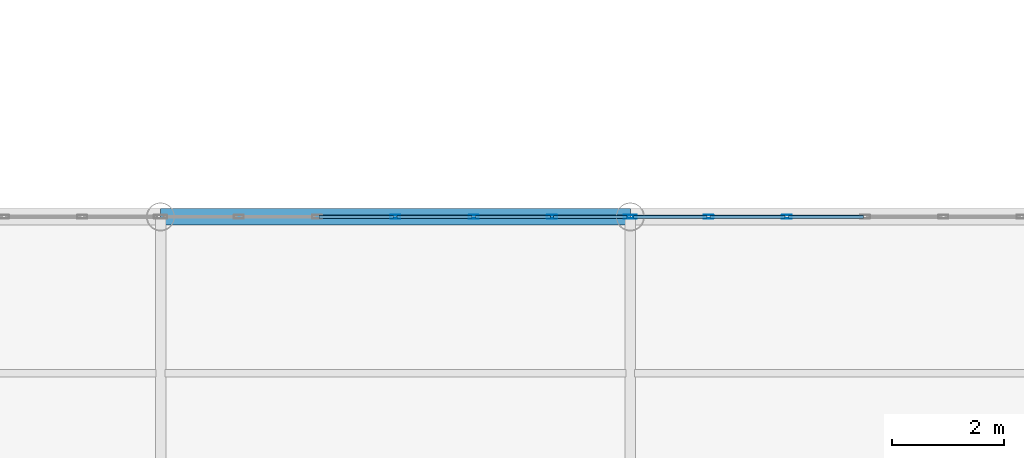
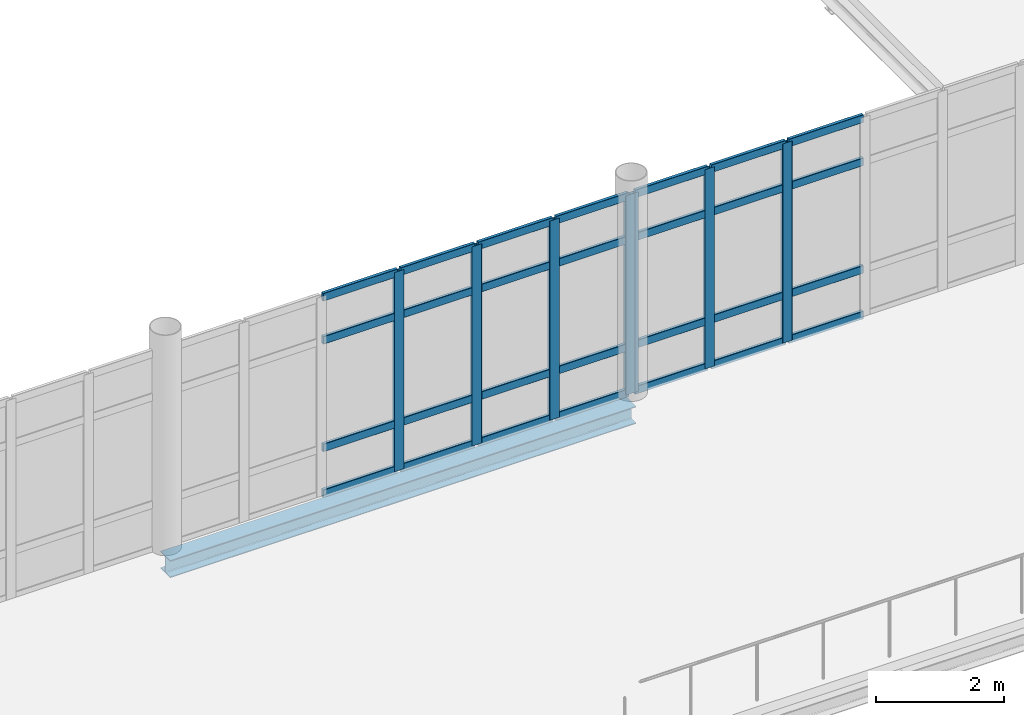
# One storey, part 70 of 163: 35 members, 1 beam, 2 elements without a shape of their own.
"""IFC4 building model written with IfcOpenShell, lengths in metres."""

from ifc_helpers import new_model, si_unit, direction, frame, origin, origin_2d, place, context, subcontext, project, spatial, hollow_rectangle, i_section, extrude, material, layer, layer_set, material_profile, profile_set, type_object, element, aggregate, save


model = new_model("IFC4")

# Units and contexts
model_context = context("Model", 3, precision=1e-05, world=origin(), true_north=direction((0.0, 1.0)))
body_context = subcontext(model_context, "Body", "Model", "MODEL_VIEW")
ifc_project = project(units=[si_unit("LENGTHUNIT", "METRE"), si_unit("AREAUNIT", "SQUARE_METRE"), si_unit("VOLUMEUNIT", "CUBIC_METRE"), si_unit("PLANEANGLEUNIT", "RADIAN"), si_unit("MASSUNIT", "GRAM", prefix="KILO")], contexts=[model_context])

# Site, building, storey
site_placement = place(None, origin())
site = spatial("IfcSite", under=ifc_project, at=site_placement, CompositionType="ELEMENT")
building_placement = place(site_placement, origin())
building = spatial("IfcBuilding", under=site, at=building_placement, Name="Qalvenar Corner Mobility Hub", CompositionType="ELEMENT")
storey_placement = place(building_placement, frame((0.0, 0.0, 4.800048828125)))
storey = spatial("IfcBuildingStorey", under=building, at=storey_placement, Name="L01", CompositionType="ELEMENT", Elevation=4.800048828125)

# Beam
ifc_material_1 = material(Name="Steel S355", Category="steel")
ifc_material_profile_1 = material_profile(ifc_material_1, i_section(OverallWidth=0.300048828125, OverallDepth=0.330078125, WebThickness=0.009521484375, FlangeThickness=0.0166015625, FilletRadius=0.027099609375, at=origin_2d()), Name="HEA340")
ifc_profile_set_1 = profile_set([ifc_material_profile_1], Name="Steel S355")
beam_type = type_object("IfcBeamType", Name="BM-SPN340", PredefinedType="SPANDREL", material=ifc_profile_set_1)
beam_placement = place(storey_placement, frame((92.39990234375, 33.60009765625, -0.344970703125), z_axis=(1.0, 0.0, 0.0), x_axis=(0.0, 1.0, 0.0)))
element("IfcBeam", 1, at=beam_placement, inside=storey, type_object=beam_type, Name="Primary Steel Girder GX-0955", PredefinedType="SPANDREL", context=body_context, shape_type="SweptSolid", body=[
    extrude(i_section(OverallWidth=0.300048828125, OverallDepth=0.330078125, WebThickness=0.009521484375, FlangeThickness=0.0166015625, FilletRadius=0.027099609375, at=origin_2d()), origin(), (0.0, 0.0, 1.0), 8.400146484375),
])

# Curtain wall, members
ifc_material_2 = material(Name="Anodised Aluminium and Low-E Glazing", Category="aluminium")
ifc_layer = layer(ifc_material_2, 0.179931640625)
ifc_layer_set = layer_set([ifc_layer], Name="Anodised Aluminium and Low-E Glazing")
curtain_wall_type = type_object("IfcCurtainWallType", Name="CW-CONC-84X42", PredefinedType="NOTDEFINED", material=ifc_layer_set)
curtain_wall_1_placement = place(storey_placement, origin())
curtain_wall_1 = element("IfcCurtainWall", 2, at=curtain_wall_1_placement, inside=storey, type_object=curtain_wall_type, Name="Glazed Curtain Wall CW-V1-L01-N5", PredefinedType="NOTDEFINED")
ifc_material_3 = material(Name="Anodised Aluminium 6063-T6", Category="aluminium")
ifc_material_profile_2 = material_profile(ifc_material_3, hollow_rectangle(XDim=0.06494140625, YDim=0.179931640625, WallThickness=0.00390625, InnerFilletRadius=0.00390625, OuterFilletRadius=0.008056640625, at=origin_2d()), Name="RHS180x65x4")
ifc_profile_set_2 = profile_set([ifc_material_profile_2], Name="Anodised Aluminium 6063-T6")
member_type_1 = type_object("IfcMemberType", Name="CW-MUL180", PredefinedType="MULLION", material=ifc_profile_set_2)
member_1_placement = place(storey_placement, frame((100.77001953125, 33.60009765625, 0.0), z_axis=(0.0, 0.0, 1.0), x_axis=(0.0, -1.0, 0.0)))
member_1 = element("IfcMember", 3, at=member_1_placement, type_object=member_type_1, Name="CW-02 mullion 1", PredefinedType="MULLION", context=body_context, shape_type="SweptSolid", body=[
    extrude(hollow_rectangle(XDim=0.06494140625, YDim=0.179931640625, WallThickness=0.00390625, InnerFilletRadius=0.00390625, OuterFilletRadius=0.008056640625, at=origin_2d()), origin(), (0.0, 0.0, 1.0), 3.800048828125),
])
member_2_placement = place(storey_placement, frame((99.39990234375, 33.60009765625, 0.0), z_axis=(0.0, 0.0, 1.0), x_axis=(0.0, -1.0, 0.0)))
member_2 = element("IfcMember", 4, at=member_2_placement, type_object=member_type_1, Name="CW-02 mullion 2", PredefinedType="MULLION", context=body_context, shape_type="SweptSolid", body=[
    extrude(hollow_rectangle(XDim=0.06494140625, YDim=0.179931640625, WallThickness=0.00390625, InnerFilletRadius=0.00390625, OuterFilletRadius=0.008056640625, at=origin_2d()), origin(), (0.0, 0.0, 1.0), 3.800048828125),
])
member_3_placement = place(storey_placement, frame((98.0, 33.60009765625, 0.0), z_axis=(0.0, 0.0, 1.0), x_axis=(0.0, -1.0, 0.0)))
member_3 = element("IfcMember", 5, at=member_3_placement, type_object=member_type_1, Name="CW-02 mullion 3", PredefinedType="MULLION", context=body_context, shape_type="SweptSolid", body=[
    extrude(hollow_rectangle(XDim=0.06494140625, YDim=0.179931640625, WallThickness=0.00390625, InnerFilletRadius=0.00390625, OuterFilletRadius=0.008056640625, at=origin_2d()), origin(), (0.0, 0.0, 1.0), 3.800048828125),
])
member_4_placement = place(storey_placement, frame((96.60009765625, 33.60009765625, 0.0), z_axis=(0.0, 0.0, 1.0), x_axis=(0.0, -1.0, 0.0)))
member_4 = element("IfcMember", 6, at=member_4_placement, type_object=member_type_1, Name="CW-02 mullion 4", PredefinedType="MULLION", context=body_context, shape_type="SweptSolid", body=[
    extrude(hollow_rectangle(XDim=0.06494140625, YDim=0.179931640625, WallThickness=0.00390625, InnerFilletRadius=0.00390625, OuterFilletRadius=0.008056640625, at=origin_2d()), origin(), (0.0, 0.0, 1.0), 3.800048828125),
])

curtain_wall_2_placement = place(storey_placement, origin())
curtain_wall_2 = element("IfcCurtainWall", 7, at=curtain_wall_2_placement, inside=storey, type_object=curtain_wall_type, Name="Glazed Curtain Wall CW-V1-L01-N6", PredefinedType="NOTDEFINED")
member_5_placement = place(storey_placement, frame((103.60009765625, 33.60009765625, 0.0), z_axis=(0.0, 0.0, 1.0), x_axis=(0.0, -1.0, 0.0)))
member_5 = element("IfcMember", 8, at=member_5_placement, type_object=member_type_1, Name="CW-02 mullion 5", PredefinedType="MULLION", context=body_context, shape_type="SweptSolid", body=[
    extrude(hollow_rectangle(XDim=0.06494140625, YDim=0.179931640625, WallThickness=0.00390625, InnerFilletRadius=0.00390625, OuterFilletRadius=0.008056640625, at=origin_2d()), origin(), (0.0, 0.0, 1.0), 3.800048828125),
])
member_6_placement = place(storey_placement, frame((102.199951171875, 33.60009765625, 0.0), z_axis=(0.0, 0.0, 1.0), x_axis=(0.0, -1.0, 0.0)))
member_6 = element("IfcMember", 9, at=member_6_placement, type_object=member_type_1, Name="CW-02 mullion 6", PredefinedType="MULLION", context=body_context, shape_type="SweptSolid", body=[
    extrude(hollow_rectangle(XDim=0.06494140625, YDim=0.179931640625, WallThickness=0.00390625, InnerFilletRadius=0.00390625, OuterFilletRadius=0.008056640625, at=origin_2d()), origin(), (0.0, 0.0, 1.0), 3.800048828125),
])
member_7_placement = place(storey_placement, frame((100.830078125, 33.60009765625, 0.0), z_axis=(0.0, 0.0, 1.0), x_axis=(0.0, -1.0, 0.0)))
member_7 = element("IfcMember", 10, at=member_7_placement, type_object=member_type_1, Name="CW-02 mullion 7", PredefinedType="MULLION", context=body_context, shape_type="SweptSolid", body=[
    extrude(hollow_rectangle(XDim=0.06494140625, YDim=0.179931640625, WallThickness=0.00390625, InnerFilletRadius=0.00390625, OuterFilletRadius=0.008056640625, at=origin_2d()), origin(), (0.0, 0.0, 1.0), 3.800048828125),
])

# Member
ifc_material_profile_3 = material_profile(ifc_material_3, hollow_rectangle(XDim=0.06005859375, YDim=0.14990234375, WallThickness=0.00341796875, InnerFilletRadius=0.00341796875, OuterFilletRadius=0.007080078125, at=origin_2d()), Name="RHS150x60x3.5")
ifc_profile_set_3 = profile_set([ifc_material_profile_3], Name="Anodised Aluminium 6063-T6")
member_type_2 = type_object("IfcMemberType", Name="CW-TRN150", PredefinedType="USERDEFINED", material=ifc_profile_set_3)
member_8_placement = place(storey_placement, frame((100.739990234375, 33.60009765625, 0.02734375), z_axis=(-1.0, 0.0, 0.0), x_axis=(0.0, -1.0, 0.0)))
member_8 = element("IfcMember", 11, at=member_8_placement, type_object=member_type_2, Name="CW-02 transom 1.1", ObjectType="TRANSOM", PredefinedType="USERDEFINED", context=body_context, shape_type="SweptSolid", body=[
    extrude(hollow_rectangle(XDim=0.06005859375, YDim=0.14990234375, WallThickness=0.00341796875, InnerFilletRadius=0.00341796875, OuterFilletRadius=0.007080078125, at=origin_2d()), origin(), (0.0, 0.0, 1.0), 1.31005859375),
])

member_9_placement = place(storey_placement, frame((100.739990234375, 33.60009765625, 0.89990234375), z_axis=(-1.0, 0.0, 0.0), x_axis=(0.0, -1.0, 0.0)))
member_9 = element("IfcMember", 12, at=member_9_placement, type_object=member_type_2, Name="CW-02 transom 1.2", ObjectType="TRANSOM", PredefinedType="USERDEFINED", context=body_context, shape_type="SweptSolid", body=[
    extrude(hollow_rectangle(XDim=0.06005859375, YDim=0.14990234375, WallThickness=0.00341796875, InnerFilletRadius=0.00341796875, OuterFilletRadius=0.007080078125, at=origin_2d()), origin(), (0.0, 0.0, 1.0), 1.31005859375),
])

member_10_placement = place(storey_placement, frame((100.739990234375, 33.60009765625, 2.949951171875), z_axis=(-1.0, 0.0, 0.0), x_axis=(0.0, -1.0, 0.0)))
member_10 = element("IfcMember", 13, at=member_10_placement, type_object=member_type_2, Name="CW-02 transom 1.3", ObjectType="TRANSOM", PredefinedType="USERDEFINED", context=body_context, shape_type="SweptSolid", body=[
    extrude(hollow_rectangle(XDim=0.06005859375, YDim=0.14990234375, WallThickness=0.00341796875, InnerFilletRadius=0.00341796875, OuterFilletRadius=0.007080078125, at=origin_2d()), origin(), (0.0, 0.0, 1.0), 1.31005859375),
])

member_11_placement = place(storey_placement, frame((100.739990234375, 33.60009765625, 3.7724609375), z_axis=(-1.0, 0.0, 0.0), x_axis=(0.0, -1.0, 0.0)))
member_11 = element("IfcMember", 14, at=member_11_placement, type_object=member_type_2, Name="CW-02 transom 1.4", ObjectType="TRANSOM", PredefinedType="USERDEFINED", context=body_context, shape_type="SweptSolid", body=[
    extrude(hollow_rectangle(XDim=0.06005859375, YDim=0.14990234375, WallThickness=0.00341796875, InnerFilletRadius=0.00341796875, OuterFilletRadius=0.007080078125, at=origin_2d()), origin(), (0.0, 0.0, 1.0), 1.31005859375),
])

member_12_placement = place(storey_placement, frame((99.3701171875, 33.60009765625, 0.02734375), z_axis=(-1.0, 0.0, 0.0), x_axis=(0.0, -1.0, 0.0)))
member_12 = element("IfcMember", 15, at=member_12_placement, type_object=member_type_2, Name="CW-02 transom 2.1", ObjectType="TRANSOM", PredefinedType="USERDEFINED", context=body_context, shape_type="SweptSolid", body=[
    extrude(hollow_rectangle(XDim=0.06005859375, YDim=0.14990234375, WallThickness=0.00341796875, InnerFilletRadius=0.00341796875, OuterFilletRadius=0.007080078125, at=origin_2d()), origin(), (0.0, 0.0, 1.0), 1.340087890625),
])

member_13_placement = place(storey_placement, frame((99.3701171875, 33.60009765625, 0.89990234375), z_axis=(-1.0, 0.0, 0.0), x_axis=(0.0, -1.0, 0.0)))
member_13 = element("IfcMember", 16, at=member_13_placement, type_object=member_type_2, Name="CW-02 transom 2.2", ObjectType="TRANSOM", PredefinedType="USERDEFINED", context=body_context, shape_type="SweptSolid", body=[
    extrude(hollow_rectangle(XDim=0.06005859375, YDim=0.14990234375, WallThickness=0.00341796875, InnerFilletRadius=0.00341796875, OuterFilletRadius=0.007080078125, at=origin_2d()), origin(), (0.0, 0.0, 1.0), 1.340087890625),
])

member_14_placement = place(storey_placement, frame((99.3701171875, 33.60009765625, 2.949951171875), z_axis=(-1.0, 0.0, 0.0), x_axis=(0.0, -1.0, 0.0)))
member_14 = element("IfcMember", 17, at=member_14_placement, type_object=member_type_2, Name="CW-02 transom 2.3", ObjectType="TRANSOM", PredefinedType="USERDEFINED", context=body_context, shape_type="SweptSolid", body=[
    extrude(hollow_rectangle(XDim=0.06005859375, YDim=0.14990234375, WallThickness=0.00341796875, InnerFilletRadius=0.00341796875, OuterFilletRadius=0.007080078125, at=origin_2d()), origin(), (0.0, 0.0, 1.0), 1.340087890625),
])

member_15_placement = place(storey_placement, frame((99.3701171875, 33.60009765625, 3.7724609375), z_axis=(-1.0, 0.0, 0.0), x_axis=(0.0, -1.0, 0.0)))
member_15 = element("IfcMember", 18, at=member_15_placement, type_object=member_type_2, Name="CW-02 transom 2.4", ObjectType="TRANSOM", PredefinedType="USERDEFINED", context=body_context, shape_type="SweptSolid", body=[
    extrude(hollow_rectangle(XDim=0.06005859375, YDim=0.14990234375, WallThickness=0.00341796875, InnerFilletRadius=0.00341796875, OuterFilletRadius=0.007080078125, at=origin_2d()), origin(), (0.0, 0.0, 1.0), 1.340087890625),
])

member_16_placement = place(storey_placement, frame((97.969970703125, 33.60009765625, 0.02734375), z_axis=(-1.0, 0.0, 0.0), x_axis=(0.0, -1.0, 0.0)))
member_16 = element("IfcMember", 19, at=member_16_placement, type_object=member_type_2, Name="CW-02 transom 3.1", ObjectType="TRANSOM", PredefinedType="USERDEFINED", context=body_context, shape_type="SweptSolid", body=[
    extrude(hollow_rectangle(XDim=0.06005859375, YDim=0.14990234375, WallThickness=0.00341796875, InnerFilletRadius=0.00341796875, OuterFilletRadius=0.007080078125, at=origin_2d()), origin(), (0.0, 0.0, 1.0), 1.340087890625),
])

member_17_placement = place(storey_placement, frame((97.969970703125, 33.60009765625, 0.89990234375), z_axis=(-1.0, 0.0, 0.0), x_axis=(0.0, -1.0, 0.0)))
member_17 = element("IfcMember", 20, at=member_17_placement, type_object=member_type_2, Name="CW-02 transom 3.2", ObjectType="TRANSOM", PredefinedType="USERDEFINED", context=body_context, shape_type="SweptSolid", body=[
    extrude(hollow_rectangle(XDim=0.06005859375, YDim=0.14990234375, WallThickness=0.00341796875, InnerFilletRadius=0.00341796875, OuterFilletRadius=0.007080078125, at=origin_2d()), origin(), (0.0, 0.0, 1.0), 1.340087890625),
])

member_18_placement = place(storey_placement, frame((97.969970703125, 33.60009765625, 2.949951171875), z_axis=(-1.0, 0.0, 0.0), x_axis=(0.0, -1.0, 0.0)))
member_18 = element("IfcMember", 21, at=member_18_placement, type_object=member_type_2, Name="CW-02 transom 3.3", ObjectType="TRANSOM", PredefinedType="USERDEFINED", context=body_context, shape_type="SweptSolid", body=[
    extrude(hollow_rectangle(XDim=0.06005859375, YDim=0.14990234375, WallThickness=0.00341796875, InnerFilletRadius=0.00341796875, OuterFilletRadius=0.007080078125, at=origin_2d()), origin(), (0.0, 0.0, 1.0), 1.340087890625),
])

member_19_placement = place(storey_placement, frame((97.969970703125, 33.60009765625, 3.7724609375), z_axis=(-1.0, 0.0, 0.0), x_axis=(0.0, -1.0, 0.0)))
member_19 = element("IfcMember", 22, at=member_19_placement, type_object=member_type_2, Name="CW-02 transom 3.4", ObjectType="TRANSOM", PredefinedType="USERDEFINED", context=body_context, shape_type="SweptSolid", body=[
    extrude(hollow_rectangle(XDim=0.06005859375, YDim=0.14990234375, WallThickness=0.00341796875, InnerFilletRadius=0.00341796875, OuterFilletRadius=0.007080078125, at=origin_2d()), origin(), (0.0, 0.0, 1.0), 1.340087890625),
])

member_20_placement = place(storey_placement, frame((96.570068359375, 33.60009765625, 0.02734375), z_axis=(-1.0, 0.0, 0.0), x_axis=(0.0, -1.0, 0.0)))
member_20 = element("IfcMember", 23, at=member_20_placement, type_object=member_type_2, Name="CW-02 transom 4.1", ObjectType="TRANSOM", PredefinedType="USERDEFINED", context=body_context, shape_type="SweptSolid", body=[
    extrude(hollow_rectangle(XDim=0.06005859375, YDim=0.14990234375, WallThickness=0.00341796875, InnerFilletRadius=0.00341796875, OuterFilletRadius=0.007080078125, at=origin_2d()), origin(), (0.0, 0.0, 1.0), 1.340087890625),
])

member_21_placement = place(storey_placement, frame((96.570068359375, 33.60009765625, 0.89990234375), z_axis=(-1.0, 0.0, 0.0), x_axis=(0.0, -1.0, 0.0)))
member_21 = element("IfcMember", 24, at=member_21_placement, type_object=member_type_2, Name="CW-02 transom 4.2", ObjectType="TRANSOM", PredefinedType="USERDEFINED", context=body_context, shape_type="SweptSolid", body=[
    extrude(hollow_rectangle(XDim=0.06005859375, YDim=0.14990234375, WallThickness=0.00341796875, InnerFilletRadius=0.00341796875, OuterFilletRadius=0.007080078125, at=origin_2d()), origin(), (0.0, 0.0, 1.0), 1.340087890625),
])

member_22_placement = place(storey_placement, frame((96.570068359375, 33.60009765625, 2.949951171875), z_axis=(-1.0, 0.0, 0.0), x_axis=(0.0, -1.0, 0.0)))
member_22 = element("IfcMember", 25, at=member_22_placement, type_object=member_type_2, Name="CW-02 transom 4.3", ObjectType="TRANSOM", PredefinedType="USERDEFINED", context=body_context, shape_type="SweptSolid", body=[
    extrude(hollow_rectangle(XDim=0.06005859375, YDim=0.14990234375, WallThickness=0.00341796875, InnerFilletRadius=0.00341796875, OuterFilletRadius=0.007080078125, at=origin_2d()), origin(), (0.0, 0.0, 1.0), 1.340087890625),
])

member_23_placement = place(storey_placement, frame((96.570068359375, 33.60009765625, 3.7724609375), z_axis=(-1.0, 0.0, 0.0), x_axis=(0.0, -1.0, 0.0)))
member_23 = element("IfcMember", 26, at=member_23_placement, type_object=member_type_2, Name="CW-02 transom 4.4", ObjectType="TRANSOM", PredefinedType="USERDEFINED", context=body_context, shape_type="SweptSolid", body=[
    extrude(hollow_rectangle(XDim=0.06005859375, YDim=0.14990234375, WallThickness=0.00341796875, InnerFilletRadius=0.00341796875, OuterFilletRadius=0.007080078125, at=origin_2d()), origin(), (0.0, 0.0, 1.0), 1.340087890625),
])

aggregate(curtain_wall_1, [member_1, member_2, member_3, member_4, member_8, member_9, member_10, member_11, member_12, member_13, member_14, member_15, member_16, member_17, member_18, member_19, member_20, member_21, member_22, member_23])

member_24_placement = place(storey_placement, frame((104.969970703125, 33.60009765625, 0.02734375), z_axis=(-1.0, 0.0, 0.0), x_axis=(0.0, -1.0, 0.0)))
member_24 = element("IfcMember", 27, at=member_24_placement, type_object=member_type_2, Name="CW-02 transom 4.1", ObjectType="TRANSOM", PredefinedType="USERDEFINED", context=body_context, shape_type="SweptSolid", body=[
    extrude(hollow_rectangle(XDim=0.06005859375, YDim=0.14990234375, WallThickness=0.00341796875, InnerFilletRadius=0.00341796875, OuterFilletRadius=0.007080078125, at=origin_2d()), origin(), (0.0, 0.0, 1.0), 1.340087890625),
])

member_25_placement = place(storey_placement, frame((104.969970703125, 33.60009765625, 0.89990234375), z_axis=(-1.0, 0.0, 0.0), x_axis=(0.0, -1.0, 0.0)))
member_25 = element("IfcMember", 28, at=member_25_placement, type_object=member_type_2, Name="CW-02 transom 4.2", ObjectType="TRANSOM", PredefinedType="USERDEFINED", context=body_context, shape_type="SweptSolid", body=[
    extrude(hollow_rectangle(XDim=0.06005859375, YDim=0.14990234375, WallThickness=0.00341796875, InnerFilletRadius=0.00341796875, OuterFilletRadius=0.007080078125, at=origin_2d()), origin(), (0.0, 0.0, 1.0), 1.340087890625),
])

member_26_placement = place(storey_placement, frame((104.969970703125, 33.60009765625, 2.949951171875), z_axis=(-1.0, 0.0, 0.0), x_axis=(0.0, -1.0, 0.0)))
member_26 = element("IfcMember", 29, at=member_26_placement, type_object=member_type_2, Name="CW-02 transom 4.3", ObjectType="TRANSOM", PredefinedType="USERDEFINED", context=body_context, shape_type="SweptSolid", body=[
    extrude(hollow_rectangle(XDim=0.06005859375, YDim=0.14990234375, WallThickness=0.00341796875, InnerFilletRadius=0.00341796875, OuterFilletRadius=0.007080078125, at=origin_2d()), origin(), (0.0, 0.0, 1.0), 1.340087890625),
])

member_27_placement = place(storey_placement, frame((104.969970703125, 33.60009765625, 3.7724609375), z_axis=(-1.0, 0.0, 0.0), x_axis=(0.0, -1.0, 0.0)))
member_27 = element("IfcMember", 30, at=member_27_placement, type_object=member_type_2, Name="CW-02 transom 4.4", ObjectType="TRANSOM", PredefinedType="USERDEFINED", context=body_context, shape_type="SweptSolid", body=[
    extrude(hollow_rectangle(XDim=0.06005859375, YDim=0.14990234375, WallThickness=0.00341796875, InnerFilletRadius=0.00341796875, OuterFilletRadius=0.007080078125, at=origin_2d()), origin(), (0.0, 0.0, 1.0), 1.340087890625),
])

member_28_placement = place(storey_placement, frame((103.570068359375, 33.60009765625, 0.02734375), z_axis=(-1.0, 0.0, 0.0), x_axis=(0.0, -1.0, 0.0)))
member_28 = element("IfcMember", 31, at=member_28_placement, type_object=member_type_2, Name="CW-02 transom 5.1", ObjectType="TRANSOM", PredefinedType="USERDEFINED", context=body_context, shape_type="SweptSolid", body=[
    extrude(hollow_rectangle(XDim=0.06005859375, YDim=0.14990234375, WallThickness=0.00341796875, InnerFilletRadius=0.00341796875, OuterFilletRadius=0.007080078125, at=origin_2d()), origin(), (0.0, 0.0, 1.0), 1.340087890625),
])

member_29_placement = place(storey_placement, frame((103.570068359375, 33.60009765625, 0.89990234375), z_axis=(-1.0, 0.0, 0.0), x_axis=(0.0, -1.0, 0.0)))
member_29 = element("IfcMember", 32, at=member_29_placement, type_object=member_type_2, Name="CW-02 transom 5.2", ObjectType="TRANSOM", PredefinedType="USERDEFINED", context=body_context, shape_type="SweptSolid", body=[
    extrude(hollow_rectangle(XDim=0.06005859375, YDim=0.14990234375, WallThickness=0.00341796875, InnerFilletRadius=0.00341796875, OuterFilletRadius=0.007080078125, at=origin_2d()), origin(), (0.0, 0.0, 1.0), 1.340087890625),
])

member_30_placement = place(storey_placement, frame((103.570068359375, 33.60009765625, 2.949951171875), z_axis=(-1.0, 0.0, 0.0), x_axis=(0.0, -1.0, 0.0)))
member_30 = element("IfcMember", 33, at=member_30_placement, type_object=member_type_2, Name="CW-02 transom 5.3", ObjectType="TRANSOM", PredefinedType="USERDEFINED", context=body_context, shape_type="SweptSolid", body=[
    extrude(hollow_rectangle(XDim=0.06005859375, YDim=0.14990234375, WallThickness=0.00341796875, InnerFilletRadius=0.00341796875, OuterFilletRadius=0.007080078125, at=origin_2d()), origin(), (0.0, 0.0, 1.0), 1.340087890625),
])

member_31_placement = place(storey_placement, frame((103.570068359375, 33.60009765625, 3.7724609375), z_axis=(-1.0, 0.0, 0.0), x_axis=(0.0, -1.0, 0.0)))
member_31 = element("IfcMember", 34, at=member_31_placement, type_object=member_type_2, Name="CW-02 transom 5.4", ObjectType="TRANSOM", PredefinedType="USERDEFINED", context=body_context, shape_type="SweptSolid", body=[
    extrude(hollow_rectangle(XDim=0.06005859375, YDim=0.14990234375, WallThickness=0.00341796875, InnerFilletRadius=0.00341796875, OuterFilletRadius=0.007080078125, at=origin_2d()), origin(), (0.0, 0.0, 1.0), 1.340087890625),
])

member_32_placement = place(storey_placement, frame((102.169921875, 33.60009765625, 0.02734375), z_axis=(-1.0, 0.0, 0.0), x_axis=(0.0, -1.0, 0.0)))
member_32 = element("IfcMember", 35, at=member_32_placement, type_object=member_type_2, Name="CW-02 transom 6.1", ObjectType="TRANSOM", PredefinedType="USERDEFINED", context=body_context, shape_type="SweptSolid", body=[
    extrude(hollow_rectangle(XDim=0.06005859375, YDim=0.14990234375, WallThickness=0.00341796875, InnerFilletRadius=0.00341796875, OuterFilletRadius=0.007080078125, at=origin_2d()), origin(), (0.0, 0.0, 1.0), 1.309814453125),
])

member_33_placement = place(storey_placement, frame((102.169921875, 33.60009765625, 0.89990234375), z_axis=(-1.0, 0.0, 0.0), x_axis=(0.0, -1.0, 0.0)))
member_33 = element("IfcMember", 36, at=member_33_placement, type_object=member_type_2, Name="CW-02 transom 6.2", ObjectType="TRANSOM", PredefinedType="USERDEFINED", context=body_context, shape_type="SweptSolid", body=[
    extrude(hollow_rectangle(XDim=0.06005859375, YDim=0.14990234375, WallThickness=0.00341796875, InnerFilletRadius=0.00341796875, OuterFilletRadius=0.007080078125, at=origin_2d()), origin(), (0.0, 0.0, 1.0), 1.309814453125),
])

member_34_placement = place(storey_placement, frame((102.169921875, 33.60009765625, 2.949951171875), z_axis=(-1.0, 0.0, 0.0), x_axis=(0.0, -1.0, 0.0)))
member_34 = element("IfcMember", 37, at=member_34_placement, type_object=member_type_2, Name="CW-02 transom 6.3", ObjectType="TRANSOM", PredefinedType="USERDEFINED", context=body_context, shape_type="SweptSolid", body=[
    extrude(hollow_rectangle(XDim=0.06005859375, YDim=0.14990234375, WallThickness=0.00341796875, InnerFilletRadius=0.00341796875, OuterFilletRadius=0.007080078125, at=origin_2d()), origin(), (0.0, 0.0, 1.0), 1.309814453125),
])

member_35_placement = place(storey_placement, frame((102.169921875, 33.60009765625, 3.7724609375), z_axis=(-1.0, 0.0, 0.0), x_axis=(0.0, -1.0, 0.0)))
member_35 = element("IfcMember", 38, at=member_35_placement, type_object=member_type_2, Name="CW-02 transom 6.4", ObjectType="TRANSOM", PredefinedType="USERDEFINED", context=body_context, shape_type="SweptSolid", body=[
    extrude(hollow_rectangle(XDim=0.06005859375, YDim=0.14990234375, WallThickness=0.00341796875, InnerFilletRadius=0.00341796875, OuterFilletRadius=0.007080078125, at=origin_2d()), origin(), (0.0, 0.0, 1.0), 1.309814453125),
])

aggregate(curtain_wall_2, [member_5, member_6, member_7, member_24, member_25, member_26, member_27, member_28, member_29, member_30, member_31, member_32, member_33, member_34, member_35])

save(model, "model.ifc")
